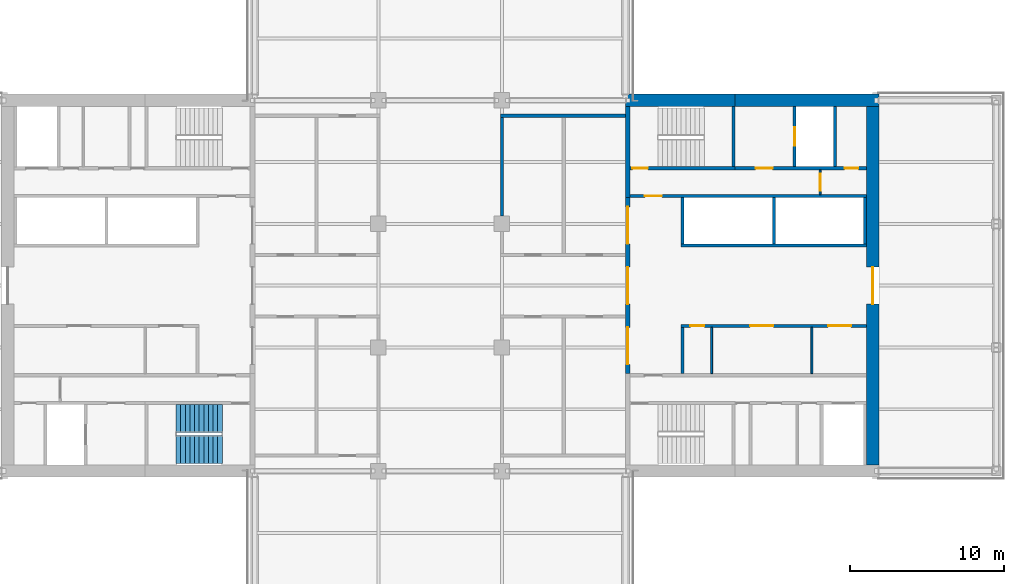
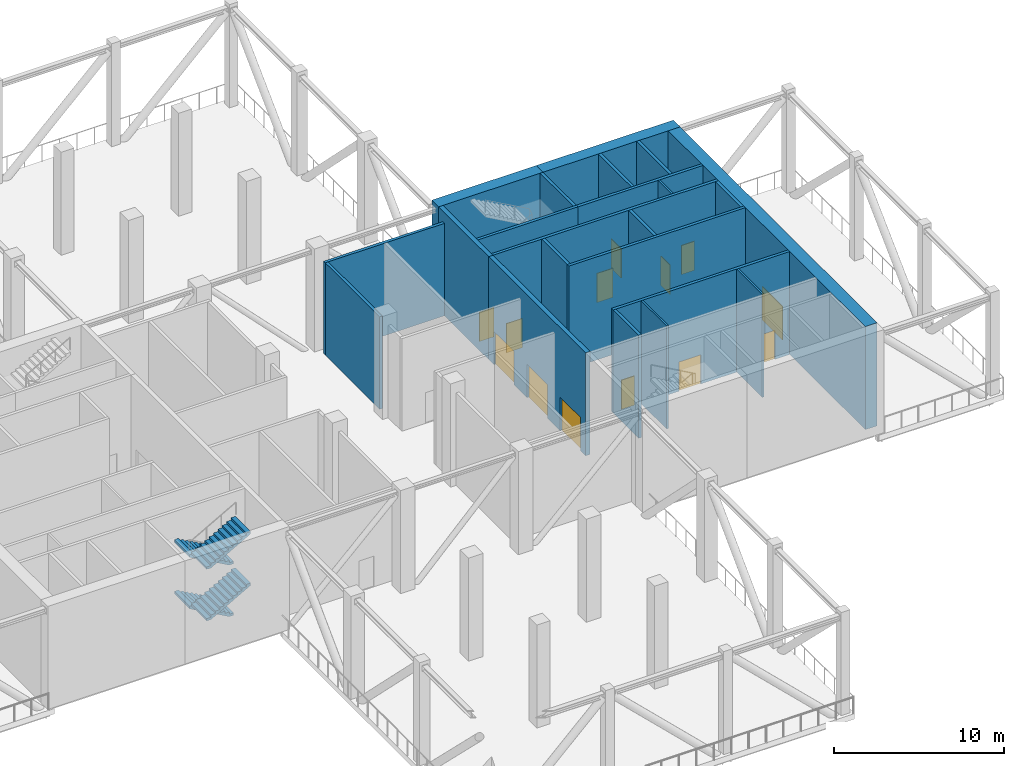
# One storey, part 6 of 18: 22 walls, 13 doors, 4 stair flights, 13 openings, 1 element without a shape of its own.
"""IFC4 building model written with IfcOpenShell, lengths in metres."""

from ifc_helpers import new_model, si_unit, direction, frame, frame_2d, origin, place, context, subcontext, project, spatial, polyline, rectangle, outline, extrude, material, layer, layer_set, constituent, constituent_set, type_object, element, fill, aggregate, save


model = new_model("IFC4")

# Units and contexts
model_context = context("Model", 3, precision=1e-05, world=origin(), true_north=direction((0.0, 1.0)))
body_context = subcontext(model_context, "Body", "Model", "MODEL_VIEW")
ifc_project = project(units=[si_unit("LENGTHUNIT", "METRE"), si_unit("AREAUNIT", "SQUARE_METRE"), si_unit("VOLUMEUNIT", "CUBIC_METRE"), si_unit("PLANEANGLEUNIT", "RADIAN"), si_unit("MASSUNIT", "GRAM", prefix="KILO")], contexts=[model_context])

# Site, building, storey
site_placement = place(None, origin())
site = spatial("IfcSite", under=ifc_project, at=site_placement, CompositionType="ELEMENT")
building_placement = place(site_placement, origin())
building = spatial("IfcBuilding", under=site, at=building_placement, Name="Crosswind Convention Tower", CompositionType="ELEMENT")
storey_placement = place(building_placement, frame((0.0, 0.0, 105.300048828125)))
storey = spatial("IfcBuildingStorey", under=building, at=storey_placement, Name="L21", CompositionType="ELEMENT", Elevation=105.300048828125)

# Walls
ifc_material_1 = material(Name="Concrete blockwork", Category="masonry")
ifc_layer_1 = layer(ifc_material_1, 0.199951171875)
ifc_layer_set_1 = layer_set([ifc_layer_1], Name="COMPARTMENT WALL 200")
wall_type_1 = type_object("IfcWallType", Name="COMPARTMENT WALL 200", PredefinedType="SOLIDWALL", material=ifc_layer_set_1)
wall_1_placement = place(storey_placement, frame((128.89990234375, 111.0, 0.0), z_axis=(0.0, 0.0, 1.0), x_axis=(1.0, 0.0, 0.0)))
element("IfcWall", 1, at=wall_1_placement, inside=storey, type_object=wall_type_1, Name="Compartment Wall 8", PredefinedType="SOLIDWALL", context=body_context, shape_type="SweptSolid", body=[
    extrude(rectangle(XDim=8.10009765625, YDim=0.199951171875, at=frame_2d((4.050048828125, 0.0))), origin(), (0.0, 0.0, 1.0), 6.6396484375),
])
wall_2_placement = place(storey_placement, frame((129.0, 104.5, 0.0), z_axis=(0.0, 0.0, 1.0), x_axis=(0.0, 1.0, 0.0)))
element("IfcWall", 2, at=wall_2_placement, inside=storey, type_object=wall_type_1, Name="Compartment Wall 18", PredefinedType="SOLIDWALL", context=body_context, shape_type="SweptSolid", body=[
    extrude(rectangle(XDim=6.39990234375, YDim=0.199951171875, at=frame_2d((3.199951171875, 0.0))), origin(), (0.0, 0.0, 1.0), 6.6396484375),
])

# Wall, opening, door
ifc_material_2 = material(Name="Concrete C60/75", Category="concrete")
ifc_layer_2 = layer(ifc_material_2, 0.800048828125)
ifc_layer_set_2 = layer_set([ifc_layer_2], Name="Concrete C60/75")
wall_type_2 = type_object("IfcWallType", Name="Concrete core wall 800", PredefinedType="SHEAR", material=ifc_layer_set_2)
wall_3_placement = place(storey_placement, frame((153.0, 88.39990234375, 0.0), z_axis=(0.0, 0.0, 1.0), x_axis=(0.0, 1.0, 0.0)))
wall_3 = element("IfcWall", 3, at=wall_3_placement, inside=storey, type_object=wall_type_2, Name="Wall O E L21", PredefinedType="SHEAR", context=body_context, shape_type="SweptSolid", body=[
    extrude(rectangle(XDim=23.2001953125, YDim=0.800048828125, at=frame_2d((11.60009765625, 0.0))), origin(), (0.0, 0.0, 1.0), 7.39990234375),
])
opening_1_placement = place(wall_3_placement, frame((10.39990234375, 0.0, 0.0)))
opening_1 = element("IfcOpeningElement", 4, at=opening_1_placement, cuts=wall_3, Name="Opening D100", PredefinedType="OPENING", context=body_context, shape_type="SweptSolid", body=[
    extrude(rectangle(XDim=2.39990234375, YDim=2.39990234375, at=frame_2d((1.199951171875, 1.199951171875))), frame((0.0, 0.409912109375, 0.0), z_axis=(0.0, -1.0, 0.0), x_axis=(1.0, 0.0, 0.0)), (0.0, 0.0, 1.0), 0.820068359375),
])
ifc_material_3 = material(Name="Steel fire door with glazed vision panels", Category="steel")
door_type_1 = type_object("IfcDoorType", Name="Fire-rated double door 2400x2400", OperationType="DOUBLE_DOOR_SINGLE_SWING", PredefinedType="DOOR", material=ifc_material_3)
door_1_placement = place(opening_1_placement, origin())
door_1 = element("IfcDoor", 5, at=door_1_placement, inside=storey, type_object=door_type_1, Name="Lobby outer door L21", ObjectType="D100", OperationType="DOUBLE_DOOR_SINGLE_SWING", OverallHeight=2.39990234375, OverallWidth=2.39990234375, PredefinedType="DOOR", context=body_context, shape_type="SweptSolid", body=[
    extrude(rectangle(XDim=2.39990234375, YDim=2.39990234375, at=frame_2d((1.199951171875, 1.199951171875))), frame((0.0, 0.02490234375, 0.0), z_axis=(0.0, -1.0, 0.0), x_axis=(1.0, 0.0, 0.0)), (0.0, 0.0, 1.0), 0.050048828125),
])
fill(opening_1, door_1)

# Wall, openings, doors
ifc_material_4 = material(Name="Concrete C50/60", Category="concrete")
ifc_layer_3 = layer(ifc_material_4, 0.300048828125)
ifc_layer_set_3 = layer_set([ifc_layer_3], Name="Concrete C50/60")
wall_type_3 = type_object("IfcWallType", Name="Concrete inner core wall 300", PredefinedType="SHEAR", material=ifc_layer_set_3)
wall_4_placement = place(storey_placement, frame((137.14990234375, 94.300048828125, 0.0), z_axis=(0.0, 0.0, 1.0), x_axis=(0.0, 1.0, 0.0)))
wall_4 = element("IfcWall", 6, at=wall_4_placement, inside=storey, type_object=wall_type_3, Name="Wall SCR E L21", PredefinedType="SHEAR", context=body_context, shape_type="SweptSolid", body=[
    extrude(rectangle(XDim=11.39990234375, YDim=0.300048828125, at=frame_2d((5.699951171875, 0.0))), origin(), (0.0, 0.0, 1.0), 7.39990234375),
])
opening_2_placement = place(wall_4_placement, frame((0.60009765625, 0.0, 0.0)))
opening_2 = element("IfcOpeningElement", 7, at=opening_2_placement, cuts=wall_4, Name="Opening D100", PredefinedType="OPENING", context=body_context, shape_type="SweptSolid", body=[
    extrude(rectangle(XDim=2.39990234375, YDim=2.39990234375, at=frame_2d((1.199951171875, 1.199951171875))), frame((0.0, 0.159912109375, 0.0), z_axis=(0.0, -1.0, 0.0), x_axis=(1.0, 0.0, 0.0)), (0.0, 0.0, 1.0), 0.320068359375),
])
opening_3_placement = place(wall_4_placement, frame((4.5, 0.0, 0.0)))
opening_3 = element("IfcOpeningElement", 8, at=opening_3_placement, cuts=wall_4, Name="Opening D100", PredefinedType="OPENING", context=body_context, shape_type="SweptSolid", body=[
    extrude(rectangle(XDim=2.39990234375, YDim=2.39990234375, at=frame_2d((1.199951171875, 1.199951171875))), frame((0.0, 0.159912109375, 0.0), z_axis=(0.0, -1.0, 0.0), x_axis=(1.0, 0.0, 0.0)), (0.0, 0.0, 1.0), 0.320068359375),
])
opening_4_placement = place(wall_4_placement, frame((8.39990234375, 0.0, 0.0)))
opening_4 = element("IfcOpeningElement", 9, at=opening_4_placement, cuts=wall_4, Name="Opening D100", PredefinedType="OPENING", context=body_context, shape_type="SweptSolid", body=[
    extrude(rectangle(XDim=2.39990234375, YDim=2.39990234375, at=frame_2d((1.199951171875, 1.199951171875))), frame((0.0, 0.159912109375, 0.0), z_axis=(0.0, -1.0, 0.0), x_axis=(1.0, 0.0, 0.0)), (0.0, 0.0, 1.0), 0.320068359375),
])
door_2_placement = place(opening_2_placement, origin())
door_2 = element("IfcDoor", 10, at=door_2_placement, inside=storey, type_object=door_type_1, Name="Lobby door 1 L21", ObjectType="D100", OperationType="DOUBLE_DOOR_SINGLE_SWING", OverallHeight=2.39990234375, OverallWidth=2.39990234375, PredefinedType="DOOR", context=body_context, shape_type="SweptSolid", body=[
    extrude(rectangle(XDim=2.39990234375, YDim=2.39990234375, at=frame_2d((1.199951171875, 1.199951171875))), frame((0.0, 0.02490234375, 0.0), z_axis=(0.0, -1.0, 0.0), x_axis=(1.0, 0.0, 0.0)), (0.0, 0.0, 1.0), 0.050048828125),
])
fill(opening_2, door_2)
door_3_placement = place(opening_3_placement, origin())
door_3 = element("IfcDoor", 11, at=door_3_placement, inside=storey, type_object=door_type_1, Name="Lobby door 2 L21", ObjectType="D100", OperationType="DOUBLE_DOOR_SINGLE_SWING", OverallHeight=2.39990234375, OverallWidth=2.39990234375, PredefinedType="DOOR", context=body_context, shape_type="SweptSolid", body=[
    extrude(rectangle(XDim=2.39990234375, YDim=2.39990234375, at=frame_2d((1.199951171875, 1.199951171875))), frame((0.0, 0.02490234375, 0.0), z_axis=(0.0, -1.0, 0.0), x_axis=(1.0, 0.0, 0.0)), (0.0, 0.0, 1.0), 0.050048828125),
])
fill(opening_3, door_3)
door_4_placement = place(opening_4_placement, origin())
door_4 = element("IfcDoor", 12, at=door_4_placement, inside=storey, type_object=door_type_1, Name="Lobby door 3 L21", ObjectType="D100", OperationType="DOUBLE_DOOR_SINGLE_SWING", OverallHeight=2.39990234375, OverallWidth=2.39990234375, PredefinedType="DOOR", context=body_context, shape_type="SweptSolid", body=[
    extrude(rectangle(XDim=2.39990234375, YDim=2.39990234375, at=frame_2d((1.199951171875, 1.199951171875))), frame((0.0, 0.02490234375, 0.0), z_axis=(0.0, -1.0, 0.0), x_axis=(1.0, 0.0, 0.0)), (0.0, 0.0, 1.0), 0.050048828125),
])
fill(opening_4, door_4)

# Walls
wall_5_placement = place(storey_placement, frame((137.14990234375, 105.699951171875, 0.0), z_axis=(0.0, 0.0, 1.0), x_axis=(0.0, 1.0, 0.0)))
element("IfcWall", 13, at=wall_5_placement, inside=storey, type_object=wall_type_3, Name="Wall EP E L21", PredefinedType="SHEAR", context=body_context, shape_type="SweptSolid", body=[
    extrude(rectangle(XDim=5.900146484375, YDim=0.300048828125, at=frame_2d((2.9501953125, 0.0))), origin(), (0.0, 0.0, 1.0), 7.39990234375),
])
ifc_layer_4 = layer(ifc_material_4, 0.199951171875)
ifc_layer_set_4 = layer_set([ifc_layer_4], Name="Concrete C50/60")
wall_type_4 = type_object("IfcWallType", Name="Concrete shaft and stair wall 200", PredefinedType="SHEAR", material=ifc_layer_set_4)
for number, where, z_axis, x_axis, name in (
    (14, (140.699951171875, 102.699951171875, 0.0), (0.0, 0.0, 1.0), (0.0, 1.0, 0.0), "Wall RPEND E L21"),
    (15, (146.60009765625, 102.699951171875, 0.0), (0.0, 0.0, 1.0), (0.0, 1.0, 0.0), "Wall RPSEP E L21"),
    (16, (152.5, 102.699951171875, 0.0), (0.0, 0.0, 1.0), (0.0, 1.0, 0.0), "Wall RPEAST E L21"),
):
    element("IfcWall", number, at=place(storey_placement, frame(where, z_axis=z_axis, x_axis=x_axis)), inside=storey, type_object=wall_type_4, Name=name, PredefinedType="SHEAR", context=body_context, shape_type="SweptSolid", body=[
        extrude(rectangle(XDim=3.0, YDim=0.199951171875, at=frame_2d((1.5, 0.0))), origin(), (0.0, 0.0, 1.0), 7.39990234375),
    ])
wall_6_placement = place(storey_placement, frame((140.60009765625, 102.60009765625, 0.0), z_axis=(0.0, 0.0, 1.0), x_axis=(1.0, 0.0, 0.0)))
element("IfcWall", 17, at=wall_6_placement, inside=storey, type_object=wall_type_4, Name="Wall RPFRONT E L21", PredefinedType="SHEAR", context=body_context, shape_type="SweptSolid", body=[
    extrude(rectangle(XDim=12.0, YDim=0.199951171875, at=frame_2d((6.0, 0.0))), origin(), (0.0, 0.0, 1.0), 7.39990234375),
])
wall_7_placement = place(storey_placement, frame((140.699951171875, 94.300048828125, 0.0), z_axis=(0.0, 0.0, 1.0), x_axis=(0.0, 1.0, 0.0)))
element("IfcWall", 18, at=wall_7_placement, inside=storey, type_object=wall_type_4, Name="Wall RMEND E L21", PredefinedType="SHEAR", context=body_context, shape_type="SweptSolid", body=[
    extrude(rectangle(XDim=3.0, YDim=0.199951171875, at=frame_2d((1.5, 0.0))), origin(), (0.0, 0.0, 1.0), 7.39990234375),
])

# Wall, openings, doors
wall_8_placement = place(storey_placement, frame((140.60009765625, 97.39990234375, 0.0), z_axis=(0.0, 0.0, 1.0), x_axis=(1.0, 0.0, 0.0)))
wall_8 = element("IfcWall", 19, at=wall_8_placement, inside=storey, type_object=wall_type_4, Name="Wall RMFRONT E L21", PredefinedType="SHEAR", context=body_context, shape_type="SweptSolid", body=[
    extrude(rectangle(XDim=12.0, YDim=0.199951171875, at=frame_2d((6.0, 0.0))), origin(), (0.0, 0.0, 1.0), 7.39990234375),
])
opening_5_placement = place(wall_8_placement, frame((0.603759765625, 0.0, 0.0)))
opening_5 = element("IfcOpeningElement", 20, at=opening_5_placement, cuts=wall_8, Name="Opening D106", PredefinedType="OPENING", context=body_context, shape_type="SweptSolid", body=[
    extrude(rectangle(XDim=0.89990234375, YDim=2.10009765625, at=frame_2d((0.449951171875, 1.050048828125))), frame((0.0, 0.10986328125, 0.0), z_axis=(0.0, -1.0, 0.0), x_axis=(1.0, 0.0, 0.0)), (0.0, 0.0, 1.0), 0.219970703125),
])
opening_6_placement = place(wall_8_placement, frame((4.465087890625, 0.0, 0.0)))
opening_6 = element("IfcOpeningElement", 21, at=opening_6_placement, cuts=wall_8, Name="Opening D108", PredefinedType="OPENING", context=body_context, shape_type="SweptSolid", body=[
    extrude(rectangle(XDim=1.5, YDim=2.10009765625, at=frame_2d((0.75, 1.050048828125))), frame((0.0, 0.10986328125, 0.0), z_axis=(0.0, -1.0, 0.0), x_axis=(1.0, 0.0, 0.0)), (0.0, 0.0, 1.0), 0.219970703125),
])
opening_7_placement = place(wall_8_placement, frame((9.51123046875, 0.0, 0.0)))
opening_7 = element("IfcOpeningElement", 22, at=opening_7_placement, cuts=wall_8, Name="Opening D108", PredefinedType="OPENING", context=body_context, shape_type="SweptSolid", body=[
    extrude(rectangle(XDim=1.5, YDim=2.10009765625, at=frame_2d((0.75, 1.050048828125))), frame((0.0, 0.10986328125, 0.0), z_axis=(0.0, -1.0, 0.0), x_axis=(1.0, 0.0, 0.0)), (0.0, 0.0, 1.0), 0.219970703125),
])
ifc_material_5 = material(Name="Steel fire door", Category="steel")
door_type_2 = type_object("IfcDoorType", Name="Plant room double door 1500x2100", OperationType="DOUBLE_DOOR_SINGLE_SWING", PredefinedType="DOOR", material=ifc_material_5)
door_5_placement = place(opening_6_placement, frame((1.5, 0.0, 0.0), z_axis=(0.0, 0.0, 1.0), x_axis=(-1.0, 0.0, 0.0)))
door_5 = element("IfcDoor", 23, at=door_5_placement, inside=storey, type_object=door_type_2, Name="Door to plant room L21", ObjectType="D108", OperationType="DOUBLE_DOOR_SINGLE_SWING", OverallHeight=2.10009765625, OverallWidth=1.5, PredefinedType="DOOR", context=body_context, shape_type="SweptSolid", body=[
    extrude(rectangle(XDim=1.5, YDim=2.10009765625, at=frame_2d((0.75, 1.050048828125))), frame((0.0, 0.02490234375, 0.0), z_axis=(0.0, -1.0, 0.0), x_axis=(1.0, 0.0, 0.0)), (0.0, 0.0, 1.0), 0.050048828125),
])
fill(opening_6, door_5)
door_6_placement = place(opening_7_placement, frame((1.5, 0.0, 0.0), z_axis=(0.0, 0.0, 1.0), x_axis=(-1.0, 0.0, 0.0)))
door_6 = element("IfcDoor", 24, at=door_6_placement, inside=storey, type_object=door_type_2, Name="Door to electrical plant room L21", ObjectType="D108", OperationType="DOUBLE_DOOR_SINGLE_SWING", OverallHeight=2.10009765625, OverallWidth=1.5, PredefinedType="DOOR", context=body_context, shape_type="SweptSolid", body=[
    extrude(rectangle(XDim=1.5, YDim=2.10009765625, at=frame_2d((0.75, 1.050048828125))), frame((0.0, 0.02490234375, 0.0), z_axis=(0.0, -1.0, 0.0), x_axis=(1.0, 0.0, 0.0)), (0.0, 0.0, 1.0), 0.050048828125),
])
fill(opening_7, door_6)
ifc_material_6 = material(Name="Timber door", Category="wood")
door_type_3 = type_object("IfcDoorType", Name="Single leaf door 900x2100", OperationType="NOTDEFINED", PredefinedType="DOOR", material=ifc_material_6)
door_7_placement = place(opening_5_placement, frame((0.89990234375, 0.0, 0.0), z_axis=(0.0, 0.0, 1.0), x_axis=(-1.0, 0.0, 0.0)))
door_7 = element("IfcDoor", 25, at=door_7_placement, inside=storey, type_object=door_type_3, Name="Door to pump room L21", ObjectType="D106", OperationType="SINGLE_SWING_LEFT", OverallHeight=2.10009765625, OverallWidth=0.89990234375, PredefinedType="DOOR", context=body_context, shape_type="SweptSolid", body=[
    extrude(rectangle(XDim=0.89990234375, YDim=2.10009765625, at=frame_2d((0.449951171875, 1.050048828125))), frame((0.0, 0.02490234375, 0.0), z_axis=(0.0, -1.0, 0.0), x_axis=(1.0, 0.0, 0.0)), (0.0, 0.0, 1.0), 0.050048828125),
])
fill(opening_5, door_7)

# Wall, opening, door
wall_9_placement = place(storey_placement, frame((137.300048828125, 105.800048828125, 0.0), z_axis=(0.0, 0.0, 1.0), x_axis=(1.0, 0.0, 0.0)))
wall_9 = element("IfcWall", 26, at=wall_9_placement, inside=storey, type_object=wall_type_4, Name="Wall HP E L21", PredefinedType="SHEAR", context=body_context, shape_type="SweptSolid", body=[
    extrude(rectangle(XDim=15.300048828125, YDim=0.199951171875, at=frame_2d((7.64990234375, 0.0))), origin(), (0.0, 0.0, 1.0), 7.39990234375),
])
opening_8_placement = place(wall_9_placement, frame((0.949951171875, 0.0, 0.0)))
opening_8 = element("IfcOpeningElement", 27, at=opening_8_placement, cuts=wall_9, Name="Opening D104", PredefinedType="OPENING", context=body_context, shape_type="SweptSolid", body=[
    extrude(rectangle(XDim=1.10009765625, YDim=2.10009765625, at=frame_2d((0.550048828125, 1.050048828125))), frame((0.0, 0.10986328125, 0.0), z_axis=(0.0, -1.0, 0.0), x_axis=(1.0, 0.0, 0.0)), (0.0, 0.0, 1.0), 0.219970703125),
])
door_type_4 = type_object("IfcDoorType", Name="Fire-rated single door 1100x2100", OperationType="NOTDEFINED", PredefinedType="DOOR", material=ifc_material_5)
door_8_placement = place(opening_8_placement, origin())
door_8 = element("IfcDoor", 28, at=door_8_placement, inside=storey, type_object=door_type_4, Name="Corridor door L21", ObjectType="D104", OperationType="SINGLE_SWING_LEFT", OverallHeight=2.10009765625, OverallWidth=1.10009765625, PredefinedType="DOOR", context=body_context, shape_type="SweptSolid", body=[
    extrude(rectangle(XDim=1.10009765625, YDim=2.10009765625, at=frame_2d((0.550048828125, 1.050048828125))), frame((0.0, 0.02490234375, 0.0), z_axis=(0.0, -1.0, 0.0), x_axis=(1.0, 0.0, 0.0)), (0.0, 0.0, 1.0), 0.050048828125),
])
fill(opening_8, door_8)

# Wall
wall_10_placement = place(storey_placement, frame((144.0, 107.699951171875, 0.0), z_axis=(0.0, 0.0, 1.0), x_axis=(0.0, 1.0, 0.0)))
element("IfcWall", 29, at=wall_10_placement, inside=storey, type_object=wall_type_4, Name="Wall PSE E L21", PredefinedType="SHEAR", context=body_context, shape_type="SweptSolid", body=[
    extrude(rectangle(XDim=3.900146484375, YDim=0.199951171875, at=frame_2d((1.9501953125, 0.0))), origin(), (0.0, 0.0, 1.0), 7.39990234375),
])

# Wall, opening, door
wall_11_placement = place(storey_placement, frame((147.949951171875, 107.699951171875, 0.0), z_axis=(0.0, 0.0, 1.0), x_axis=(0.0, 1.0, 0.0)))
wall_11 = element("IfcWall", 30, at=wall_11_placement, inside=storey, type_object=wall_type_4, Name="Wall PFLW E L21", PredefinedType="SHEAR", context=body_context, shape_type="SweptSolid", body=[
    extrude(rectangle(XDim=3.900146484375, YDim=0.199951171875, at=frame_2d((1.9501953125, 0.0))), origin(), (0.0, 0.0, 1.0), 7.39990234375),
])
opening_9_placement = place(wall_11_placement, frame((1.35009765625, 0.0, 0.0)))
opening_9 = element("IfcOpeningElement", 31, at=opening_9_placement, cuts=wall_11, Name="Opening LD1", PredefinedType="OPENING", context=body_context, shape_type="SweptSolid", body=[
    extrude(rectangle(XDim=1.199951171875, YDim=2.10009765625, at=frame_2d((0.60009765625, 1.050048828125))), frame((0.0, 0.10986328125, 0.0), z_axis=(0.0, -1.0, 0.0), x_axis=(1.0, 0.0, 0.0)), (0.0, 0.0, 1.0), 0.219970703125),
])
ifc_material_7 = material(Name="Stainless steel", Category="steel")
door_type_5 = type_object("IfcDoorType", Name="Lift landing door 1200x2100", OperationType="DOUBLE_DOOR_SLIDING", PredefinedType="DOOR", material=ifc_material_7)
door_9_placement = place(opening_9_placement, origin())
door_9 = element("IfcDoor", 32, at=door_9_placement, inside=storey, type_object=door_type_5, Name="Landing door FF1 L21", ObjectType="LD1", OperationType="DOUBLE_DOOR_SLIDING", OverallHeight=2.10009765625, OverallWidth=1.199951171875, PredefinedType="DOOR", context=body_context, shape_type="SweptSolid", body=[
    extrude(rectangle(XDim=1.199951171875, YDim=2.10009765625, at=frame_2d((0.60009765625, 1.050048828125))), frame((0.0, 0.02490234375, 0.0), z_axis=(0.0, -1.0, 0.0), x_axis=(1.0, 0.0, 0.0)), (0.0, 0.0, 1.0), 0.050048828125),
])
fill(opening_9, door_9)

# Wall
wall_12_placement = place(storey_placement, frame((150.550048828125, 107.699951171875, 0.0), z_axis=(0.0, 0.0, 1.0), x_axis=(0.0, 1.0, 0.0)))
element("IfcWall", 33, at=wall_12_placement, inside=storey, type_object=wall_type_4, Name="Wall PFSE E L21", PredefinedType="SHEAR", context=body_context, shape_type="SweptSolid", body=[
    extrude(rectangle(XDim=3.900146484375, YDim=0.199951171875, at=frame_2d((1.9501953125, 0.0))), origin(), (0.0, 0.0, 1.0), 7.39990234375),
])

# Wall, opening, door
wall_13_placement = place(storey_placement, frame((137.300048828125, 107.60009765625, 0.0), z_axis=(0.0, 0.0, 1.0), x_axis=(1.0, 0.0, 0.0)))
wall_13 = element("IfcWall", 34, at=wall_13_placement, inside=storey, type_object=wall_type_4, Name="Wall PCW E L21", PredefinedType="SHEAR", context=body_context, shape_type="SweptSolid", body=[
    extrude(rectangle(XDim=6.800048828125, YDim=0.199951171875, at=frame_2d((3.39990234375, 0.0))), origin(), (0.0, 0.0, 1.0), 7.39990234375),
])
opening_10_placement = place(wall_13_placement, frame((0.14990234375, 0.0, 0.0)))
opening_10 = element("IfcOpeningElement", 35, at=opening_10_placement, cuts=wall_13, Name="Opening D103", PredefinedType="OPENING", context=body_context, shape_type="SweptSolid", body=[
    extrude(rectangle(XDim=1.0, YDim=2.10009765625, at=frame_2d((0.5, 1.050048828125))), frame((0.0, 0.10986328125, 0.0), z_axis=(0.0, -1.0, 0.0), x_axis=(1.0, 0.0, 0.0)), (0.0, 0.0, 1.0), 0.219970703125),
])
door_type_6 = type_object("IfcDoorType", Name="Fire-rated single door 1000x2100", OperationType="NOTDEFINED", PredefinedType="DOOR", material=ifc_material_5)
door_10_placement = place(opening_10_placement, origin())
door_10 = element("IfcDoor", 36, at=door_10_placement, inside=storey, type_object=door_type_6, Name="Stair ST1 door L21", ObjectType="D103", OperationType="SINGLE_SWING_LEFT", OverallHeight=2.10009765625, OverallWidth=1.0, PredefinedType="DOOR", context=body_context, shape_type="SweptSolid", body=[
    extrude(rectangle(XDim=1.0, YDim=2.10009765625, at=frame_2d((0.5, 1.050048828125))), frame((0.0, 0.02490234375, 0.0), z_axis=(0.0, -1.0, 0.0), x_axis=(1.0, 0.0, 0.0)), (0.0, 0.0, 1.0), 0.050048828125),
])
fill(opening_10, door_10)

# Wall, openings, doors
wall_14_placement = place(storey_placement, frame((144.10009765625, 107.60009765625, 0.0), z_axis=(0.0, 0.0, 1.0), x_axis=(1.0, 0.0, 0.0)))
wall_14 = element("IfcWall", 37, at=wall_14_placement, inside=storey, type_object=wall_type_4, Name="Wall PCX E L21", PredefinedType="SHEAR", context=body_context, shape_type="SweptSolid", body=[
    extrude(rectangle(XDim=8.5, YDim=0.199951171875, at=frame_2d((4.25, 0.0))), origin(), (0.0, 0.0, 1.0), 7.39990234375),
])
opening_11_placement = place(wall_14_placement, frame((1.324951171875, 0.0, 0.0)))
opening_11 = element("IfcOpeningElement", 38, at=opening_11_placement, cuts=wall_14, Name="Opening D104", PredefinedType="OPENING", context=body_context, shape_type="SweptSolid", body=[
    extrude(rectangle(XDim=1.10009765625, YDim=2.10009765625, at=frame_2d((0.550048828125, 1.050048828125))), frame((0.0, 0.10986328125, 0.0), z_axis=(0.0, -1.0, 0.0), x_axis=(1.0, 0.0, 0.0)), (0.0, 0.0, 1.0), 0.219970703125),
])
opening_12_placement = place(wall_14_placement, frame((7.074951171875, 0.0, 0.0)))
opening_12 = element("IfcOpeningElement", 39, at=opening_12_placement, cuts=wall_14, Name="Opening D106", PredefinedType="OPENING", context=body_context, shape_type="SweptSolid", body=[
    extrude(rectangle(XDim=0.89990234375, YDim=2.10009765625, at=frame_2d((0.449951171875, 1.050048828125))), frame((0.0, 0.10986328125, 0.0), z_axis=(0.0, -1.0, 0.0), x_axis=(1.0, 0.0, 0.0)), (0.0, 0.0, 1.0), 0.219970703125),
])
door_11_placement = place(opening_11_placement, origin())
door_11 = element("IfcDoor", 40, at=door_11_placement, inside=storey, type_object=door_type_4, Name="Fire-fighting lobby FF1 door L21", ObjectType="D104", OperationType="SINGLE_SWING_RIGHT", OverallHeight=2.10009765625, OverallWidth=1.10009765625, PredefinedType="DOOR", context=body_context, shape_type="SweptSolid", body=[
    extrude(rectangle(XDim=1.10009765625, YDim=2.10009765625, at=frame_2d((0.550048828125, 1.050048828125))), frame((0.0, 0.02490234375, 0.0), z_axis=(0.0, -1.0, 0.0), x_axis=(1.0, 0.0, 0.0)), (0.0, 0.0, 1.0), 0.050048828125),
])
fill(opening_11, door_11)
door_12_placement = place(opening_12_placement, origin())
door_12 = element("IfcDoor", 41, at=door_12_placement, inside=storey, type_object=door_type_3, Name="Door to mechanical plant room L21", ObjectType="D106", OperationType="SINGLE_SWING_RIGHT", OverallHeight=2.10009765625, OverallWidth=0.89990234375, PredefinedType="DOOR", context=body_context, shape_type="SweptSolid", body=[
    extrude(rectangle(XDim=0.89990234375, YDim=2.10009765625, at=frame_2d((0.449951171875, 1.050048828125))), frame((0.0, 0.02490234375, 0.0), z_axis=(0.0, -1.0, 0.0), x_axis=(1.0, 0.0, 0.0)), (0.0, 0.0, 1.0), 0.050048828125),
])
fill(opening_12, door_12)

# Walls
ifc_material_8 = material(Name="Gypsum plasterboard partition", Category="gypsum")
ifc_layer_5 = layer(ifc_material_8, 0.125)
ifc_layer_set_5 = layer_set([ifc_layer_5], Name="Drywall partition wall 125")
wall_type_5 = type_object("IfcWallType", Name="Drywall partition wall 125", PredefinedType="PARTITIONING", material=ifc_layer_set_5)
for number, where, z_axis, x_axis, name in (
    (42, (142.570068359375, 94.300048828125, 0.0), (0.0, 0.0, 1.0), (0.0, 1.0, 0.0), "Wall RMP1 E L21"),
    (43, (149.06005859375, 94.300048828125, 0.0), (0.0, 0.0, 1.0), (0.0, 1.0, 0.0), "Wall RMP2 E L21"),
):
    element("IfcWall", number, at=place(storey_placement, frame(where, z_axis=z_axis, x_axis=x_axis)), inside=storey, type_object=wall_type_5, Name=name, PredefinedType="PARTITIONING", context=body_context, shape_type="SweptSolid", body=[
        extrude(rectangle(XDim=3.0, YDim=0.125, at=frame_2d((1.5, 0.0))), origin(), (0.0, 0.0, 1.0), 7.39990234375),
    ])

# Wall, opening, door
wall_15_placement = place(storey_placement, frame((149.60009765625, 105.89990234375, 0.0), z_axis=(0.0, 0.0, 1.0), x_axis=(0.0, 1.0, 0.0)))
wall_15 = element("IfcWall", 44, at=wall_15_placement, inside=storey, type_object=wall_type_5, Name="Wall PXC1 E L21", PredefinedType="PARTITIONING", context=body_context, shape_type="SweptSolid", body=[
    extrude(rectangle(XDim=1.60009765625, YDim=0.125, at=frame_2d((0.800048828125, 0.0))), origin(), (0.0, 0.0, 1.0), 7.39990234375),
])
opening_13_placement = place(wall_15_placement, frame((0.25, 0.0, 0.0)))
opening_13 = element("IfcOpeningElement", 45, at=opening_13_placement, cuts=wall_15, Name="Opening D104", PredefinedType="OPENING", context=body_context, shape_type="SweptSolid", body=[
    extrude(rectangle(XDim=1.10009765625, YDim=2.10009765625, at=frame_2d((0.550048828125, 1.050048828125))), frame((0.0, 0.072509765625, 0.0), z_axis=(0.0, -1.0, 0.0), x_axis=(1.0, 0.0, 0.0)), (0.0, 0.0, 1.0), 0.14501953125),
])
door_13_placement = place(opening_13_placement, origin())
door_13 = element("IfcDoor", 46, at=door_13_placement, inside=storey, type_object=door_type_4, Name="Corridor smoke door L21", ObjectType="D104", OperationType="SINGLE_SWING_RIGHT", OverallHeight=2.10009765625, OverallWidth=1.10009765625, PredefinedType="DOOR", context=body_context, shape_type="SweptSolid", body=[
    extrude(rectangle(XDim=1.10009765625, YDim=2.10009765625, at=frame_2d((0.550048828125, 1.050048828125))), frame((0.0, 0.02490234375, 0.0), z_axis=(0.0, -1.0, 0.0), x_axis=(1.0, 0.0, 0.0)), (0.0, 0.0, 1.0), 0.050048828125),
])
fill(opening_13, door_13)

# Walls
ifc_constituent_1 = constituent(ifc_material_2, Name="Structure")
ifc_material_9 = material(Name="Terracotta rainscreen", Category="ceramic")
ifc_constituent_2 = constituent(ifc_material_9, Name="Facing")
ifc_constituent_set = constituent_set(constituents=[ifc_constituent_1, ifc_constituent_2], Name="Concrete C60/75, Terracotta rainscreen")
wall_type_6 = type_object("IfcWallType", Name="Terracotta rainscreen on concrete core wall 800", PredefinedType="SHEAR", material=ifc_constituent_set)
wall_16_placement = place(storey_placement, frame((137.0, 112.0, 0.0), z_axis=(0.0, 0.0, 1.0), x_axis=(1.0, 0.0, 0.0)))
element("IfcWall", 47, at=wall_16_placement, inside=storey, type_object=wall_type_6, Name="Wall N1 E L21", PredefinedType="SHEAR", context=body_context, shape_type="SweptSolid", body=[
    extrude(rectangle(XDim=7.10009765625, YDim=0.800048828125, at=frame_2d((3.550048828125, 0.0))), origin(), (0.0, 0.0, 1.0), 7.39990234375),
])
wall_17_placement = place(storey_placement, frame((144.10009765625, 112.0, 0.0), z_axis=(0.0, 0.0, 1.0), x_axis=(1.0, 0.0, 0.0)))
element("IfcWall", 48, at=wall_17_placement, inside=storey, type_object=wall_type_6, Name="Wall N2 E L21", PredefinedType="SHEAR", context=body_context, shape_type="SweptSolid", body=[
    extrude(rectangle(XDim=9.2998046875, YDim=0.800048828125, at=frame_2d((4.64990234375, 0.0))), origin(), (0.0, 0.0, 1.0), 7.39990234375),
])

# Stair, stair flights
ifc_material_10 = material(Name="Concrete C40/50", Category="concrete")
stair_type = type_object("IfcStairType", Name="Exit stair 1800 wide, 4 flights of 11 risers", PredefinedType="HALF_TURN_STAIR", material=ifc_material_10)
stair_placement = place(storey_placement, origin())
stair = element("IfcStair", 49, at=stair_placement, inside=storey, type_object=stair_type, Name="Exit stair ST3 L21", ObjectType="ST6", PredefinedType="HALF_TURN_STAIR")
stair_flight_type = type_object("IfcStairFlightType", Name="Stair flight 1800 wide, 11 risers (SF3)", PredefinedType="STRAIGHT", material=ifc_material_10)
stair_flight_1_placement = place(storey_placement, frame((110.89990234375, 91.39990234375, 0.0), z_axis=(0.0, 0.0, 1.0), x_axis=(-1.0, 0.0, 0.0)))
stair_flight_1 = element("IfcStairFlight", 50, at=stair_flight_1_placement, type_object=stair_flight_type, Name="ST3 flight 1", NumberOfRisers=11, NumberOfTreads=10, PredefinedType="STRAIGHT", RiserHeight=0.168181818, TreadLength=0.3, context=body_context, shape_type="SweptSolid", body=[
    extrude(outline(polyline([(0.0, 0.0), (0.0, 0.168212890625), (0.300048828125, 0.168212890625), (0.300048828125, 0.33642578125), (0.60009765625, 0.33642578125), (0.60009765625, 0.504638671875), (0.89990234375, 0.504638671875), (0.89990234375, 0.672607421875), (1.199951171875, 0.672607421875), (1.199951171875, 0.8408203125), (1.5, 0.8408203125), (1.5, 1.009033203125), (1.800048828125, 1.009033203125), (1.800048828125, 1.17724609375), (2.10009765625, 1.17724609375), (2.10009765625, 1.345458984375), (2.39990234375, 1.345458984375), (2.39990234375, 1.513671875), (2.699951171875, 1.513671875), (2.699951171875, 1.681884765625), (3.0, 1.681884765625), (3.0, 1.85009765625), (3.0, 1.510009765625), (0.306640625, 0.0), (0.0, 0.0)])), frame((0.0, 0.89990234375, 0.0), z_axis=(0.0, -1.0, 0.0), x_axis=(1.0, 0.0, 0.0)), (0.0, 0.0, 1.0), 1.800048828125),
])
stair_flight_2_placement = place(storey_placement, frame((107.89990234375, 89.39990234375, 1.849853515625), z_axis=(0.0, 0.0, 1.0), x_axis=(1.0, 0.0, 0.0)))
stair_flight_2 = element("IfcStairFlight", 51, at=stair_flight_2_placement, type_object=stair_flight_type, Name="ST3 flight 2", NumberOfRisers=11, NumberOfTreads=10, PredefinedType="STRAIGHT", RiserHeight=0.168181818, TreadLength=0.3, context=body_context, shape_type="SweptSolid", body=[
    extrude(outline(polyline([(0.0, 0.0), (0.0, 0.168212890625), (0.300048828125, 0.168212890625), (0.300048828125, 0.33642578125), (0.60009765625, 0.33642578125), (0.60009765625, 0.504638671875), (0.89990234375, 0.504638671875), (0.89990234375, 0.672607421875), (1.199951171875, 0.672607421875), (1.199951171875, 0.8408203125), (1.5, 0.8408203125), (1.5, 1.009033203125), (1.800048828125, 1.009033203125), (1.800048828125, 1.17724609375), (2.10009765625, 1.17724609375), (2.10009765625, 1.345458984375), (2.39990234375, 1.345458984375), (2.39990234375, 1.513671875), (2.699951171875, 1.513671875), (2.699951171875, 1.681884765625), (3.0, 1.681884765625), (3.0, 1.85009765625), (3.0, 1.510009765625), (0.306640625, 0.0), (0.0, 0.0)])), frame((0.0, 0.89990234375, 0.0), z_axis=(0.0, -1.0, 0.0), x_axis=(1.0, 0.0, 0.0)), (0.0, 0.0, 1.0), 1.800048828125),
])
stair_flight_3_placement = place(storey_placement, frame((110.89990234375, 91.39990234375, 3.699951171875), z_axis=(0.0, 0.0, 1.0), x_axis=(-1.0, 0.0, 0.0)))
stair_flight_3 = element("IfcStairFlight", 52, at=stair_flight_3_placement, type_object=stair_flight_type, Name="ST3 flight 3", NumberOfRisers=11, NumberOfTreads=10, PredefinedType="STRAIGHT", RiserHeight=0.168181818, TreadLength=0.3, context=body_context, shape_type="SweptSolid", body=[
    extrude(outline(polyline([(0.0, 0.0), (0.0, 0.168212890625), (0.300048828125, 0.168212890625), (0.300048828125, 0.33642578125), (0.60009765625, 0.33642578125), (0.60009765625, 0.504638671875), (0.89990234375, 0.504638671875), (0.89990234375, 0.672607421875), (1.199951171875, 0.672607421875), (1.199951171875, 0.8408203125), (1.5, 0.8408203125), (1.5, 1.009033203125), (1.800048828125, 1.009033203125), (1.800048828125, 1.17724609375), (2.10009765625, 1.17724609375), (2.10009765625, 1.345458984375), (2.39990234375, 1.345458984375), (2.39990234375, 1.513671875), (2.699951171875, 1.513671875), (2.699951171875, 1.681884765625), (3.0, 1.681884765625), (3.0, 1.85009765625), (3.0, 1.510009765625), (0.306640625, 0.0), (0.0, 0.0)])), frame((0.0, 0.89990234375, 0.0), z_axis=(0.0, -1.0, 0.0), x_axis=(1.0, 0.0, 0.0)), (0.0, 0.0, 1.0), 1.800048828125),
])
stair_flight_4_placement = place(storey_placement, frame((107.89990234375, 89.39990234375, 5.550048828125), z_axis=(0.0, 0.0, 1.0), x_axis=(1.0, 0.0, 0.0)))
stair_flight_4 = element("IfcStairFlight", 53, at=stair_flight_4_placement, type_object=stair_flight_type, Name="ST3 flight 4", NumberOfRisers=11, NumberOfTreads=10, PredefinedType="STRAIGHT", RiserHeight=0.168181818, TreadLength=0.3, context=body_context, shape_type="SweptSolid", body=[
    extrude(outline(polyline([(0.0, 0.0), (0.0, 0.168212890625), (0.300048828125, 0.168212890625), (0.300048828125, 0.33642578125), (0.60009765625, 0.33642578125), (0.60009765625, 0.504638671875), (0.89990234375, 0.504638671875), (0.89990234375, 0.672607421875), (1.199951171875, 0.672607421875), (1.199951171875, 0.8408203125), (1.5, 0.8408203125), (1.5, 1.009033203125), (1.800048828125, 1.009033203125), (1.800048828125, 1.17724609375), (2.10009765625, 1.17724609375), (2.10009765625, 1.345458984375), (2.39990234375, 1.345458984375), (2.39990234375, 1.513671875), (2.699951171875, 1.513671875), (2.699951171875, 1.681884765625), (3.0, 1.681884765625), (3.0, 1.85009765625), (3.0, 1.510009765625), (0.306640625, 0.0), (0.0, 0.0)])), frame((0.0, 0.89990234375, 0.0), z_axis=(0.0, -1.0, 0.0), x_axis=(1.0, 0.0, 0.0)), (0.0, 0.0, 1.0), 1.800048828125),
])
aggregate(stair, [stair_flight_1, stair_flight_2, stair_flight_3, stair_flight_4])

save(model, "model.ifc")
